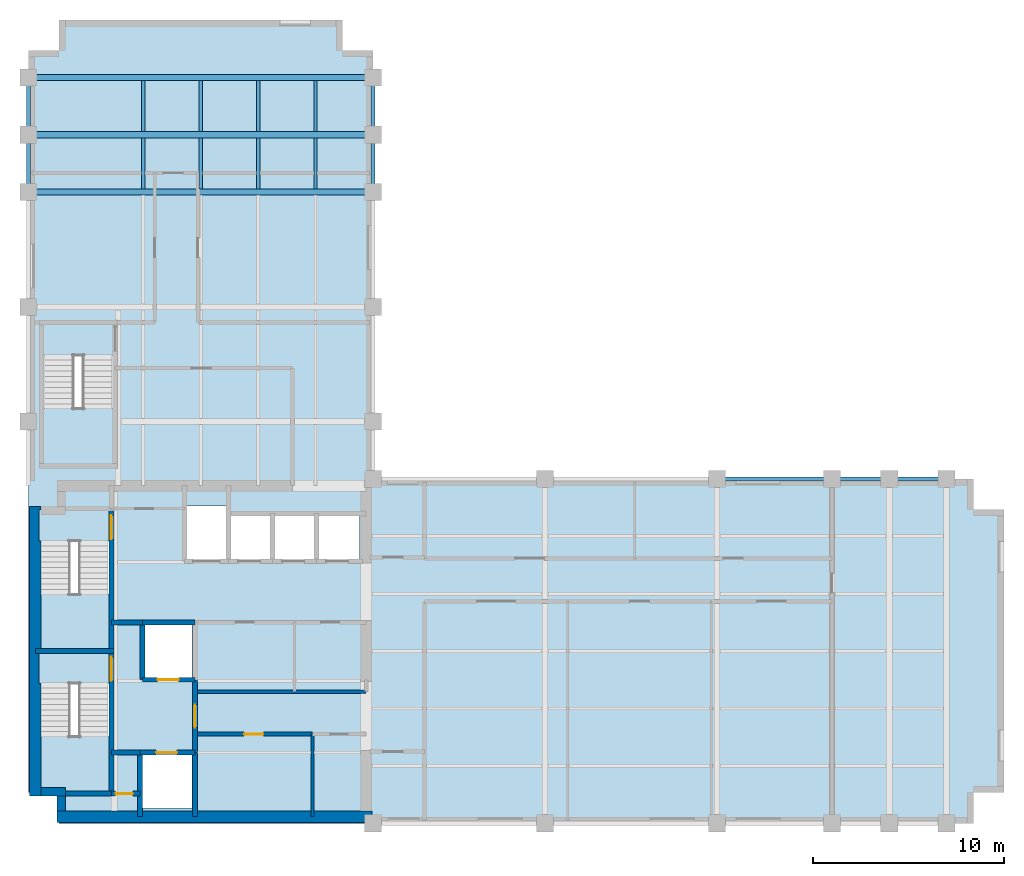
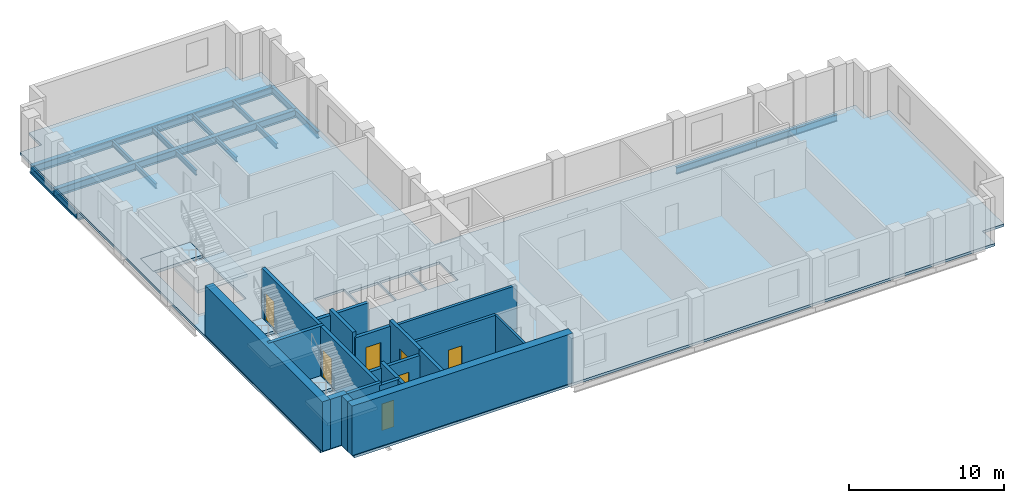
# One storey, part 2 of 6: 21 walls, 18 beams, 7 doors, 7 slabs, 7 openings, 3 elements without a shape of their own.
"""IFC4 building model written with IfcOpenShell, lengths in metres."""

from ifc_helpers import new_model, si_unit, direction, frame, frame_2d, origin, origin_2d, place, context, subcontext, project, spatial, polyline, rectangle, i_section, outline, extrude, material, layer, layer_set, material_profile, profile_set, type_object, element, fill, aggregate, save


model = new_model("IFC4")

# Units and contexts
model_context = context("Model", 3, precision=1e-05, world=origin(), true_north=direction((0.0, 1.0)))
body_context = subcontext(model_context, "Body", "Model", "MODEL_VIEW")
ifc_project = project(units=[si_unit("LENGTHUNIT", "METRE"), si_unit("AREAUNIT", "SQUARE_METRE"), si_unit("VOLUMEUNIT", "CUBIC_METRE"), si_unit("PLANEANGLEUNIT", "RADIAN"), si_unit("MASSUNIT", "GRAM", prefix="KILO")], contexts=[model_context])

# Site, building, storey
site_placement = place(None, origin())
site = spatial("IfcSite", under=ifc_project, at=site_placement, CompositionType="ELEMENT")
building_placement = place(site_placement, origin())
building = spatial("IfcBuilding", under=site, at=building_placement, Name="Mawjdan Bourse Tower", CompositionType="ELEMENT")
storey_placement = place(building_placement, frame((0.0, 0.0, 180.0)))
storey = spatial("IfcBuildingStorey", under=building, at=storey_placement, Name="L43", CompositionType="ELEMENT", Elevation=180.0)

# Beams
ifc_material_1 = material(Name="Structural Steel S355", Category="steel")
ifc_material_profile_1 = material_profile(ifc_material_1, i_section(OverallWidth=0.324951171875, OverallDepth=0.616943359375, WebThickness=0.013916015625, FlangeThickness=0.021484375, FilletRadius=0.017333984375, at=origin_2d()), Name="W24X117")
ifc_profile_set_1 = profile_set([ifc_material_profile_1], Name="Structural Steel S355")
beam_type_1 = type_object("IfcBeamType", Name="GRD-W24X117", PredefinedType="BEAM", material=ifc_profile_set_1)
for number, where, z_axis, x_axis, name in (
    (1, (6.0, 36.0, -0.508544921875), (1.0, 0.0, 0.0), (0.0, 1.0, 0.0), "L43 North Wing Clear-Span Girder 049"),
    (2, (6.0, 39.0, -0.508544921875), (1.0, 0.0, 0.0), (0.0, 1.0, 0.0), "L43 North Wing Clear-Span Girder 050"),
    (3, (6.0, 42.0, -0.508544921875), (1.0, 0.0, 0.0), (0.0, 1.0, 0.0), "L43 North Wing Clear-Span Girder 051"),
):
    element("IfcBeam", number, at=place(storey_placement, frame(where, z_axis=z_axis, x_axis=x_axis)), inside=storey, type_object=beam_type_1, Name=name, PredefinedType="BEAM", context=body_context, shape_type="SweptSolid", body=[
        extrude(i_section(OverallWidth=0.324951171875, OverallDepth=0.616943359375, WebThickness=0.013916015625, FlangeThickness=0.021484375, FilletRadius=0.017333984375, at=origin_2d()), origin(), (0.0, 0.0, 1.0), 18.0),
    ])
ifc_material_profile_2 = material_profile(ifc_material_1, i_section(OverallWidth=0.177978515625, OverallDepth=0.406982421875, WebThickness=0.0078125, FlangeThickness=0.0126953125, FilletRadius=0.01025390625, at=origin_2d()), Name="W16X40")
ifc_profile_set_2 = profile_set([ifc_material_profile_2], Name="Structural Steel S355")
beam_type_2 = type_object("IfcBeamType", Name="JST-W16X40", PredefinedType="JOIST", material=ifc_profile_set_2)
for number, where, z_axis, x_axis, name in (
    (4, (12.0, 36.160400390625, -0.403564453125), (0.0, 1.0, 0.0), (-1.0, 0.0, 0.0), "L43 North Wing Composite Joist 065"),
    (5, (12.0, 39.160400390625, -0.403564453125), (0.0, 1.0, 0.0), (-1.0, 0.0, 0.0), "L43 North Wing Composite Joist 066"),
    (6, (15.0, 36.160400390625, -0.403564453125), (0.0, 1.0, 0.0), (-1.0, 0.0, 0.0), "L43 North Wing Composite Joist 070"),
    (7, (15.0, 39.160400390625, -0.403564453125), (0.0, 1.0, 0.0), (-1.0, 0.0, 0.0), "L43 North Wing Composite Joist 071"),
    (8, (18.0, 36.160400390625, -0.403564453125), (0.0, 1.0, 0.0), (-1.0, 0.0, 0.0), "L43 North Wing Composite Joist 075"),
    (9, (18.0, 39.160400390625, -0.403564453125), (0.0, 1.0, 0.0), (-1.0, 0.0, 0.0), "L43 North Wing Composite Joist 076"),
    (10, (21.0, 36.160400390625, -0.403564453125), (0.0, 1.0, 0.0), (-1.0, 0.0, 0.0), "L43 North Wing Composite Joist 080"),
    (11, (21.0, 39.160400390625, -0.403564453125), (0.0, 1.0, 0.0), (-1.0, 0.0, 0.0), "L43 North Wing Composite Joist 081"),
):
    element("IfcBeam", number, at=place(storey_placement, frame(where, z_axis=z_axis, x_axis=x_axis)), inside=storey, type_object=beam_type_2, Name=name, PredefinedType="JOIST", context=body_context, shape_type="SweptSolid", body=[
        extrude(i_section(OverallWidth=0.177978515625, OverallDepth=0.406982421875, WebThickness=0.0078125, FlangeThickness=0.0126953125, FilletRadius=0.01025390625, at=origin_2d()), origin(), (0.0, 0.0, 1.0), 2.67919921875),
    ])
ifc_material_profile_3 = material_profile(ifc_material_1, i_section(OverallWidth=0.2119140625, OverallDepth=0.5439453125, WebThickness=0.01318359375, FlangeThickness=0.021240234375, FilletRadius=0.01708984375, at=origin_2d()), Name="W21X83")
ifc_profile_set_3 = profile_set([ifc_material_profile_3], Name="Structural Steel S355")
beam_type_3 = type_object("IfcBeamType", Name="SPN-W21X83", PredefinedType="SPANDREL", material=ifc_profile_set_3)
beam_placement = place(storey_placement, frame((42.0, 21.0, -0.471923828125), z_axis=(1.0, 0.0, 0.0), x_axis=(0.0, 1.0, 0.0)))
element("IfcBeam", 12, at=beam_placement, inside=storey, type_object=beam_type_3, Name="L43 Perimeter Masonry-Shelf Spandrel 014", PredefinedType="SPANDREL", context=body_context, shape_type="SweptSolid", body=[
    extrude(i_section(OverallWidth=0.2119140625, OverallDepth=0.5439453125, WebThickness=0.01318359375, FlangeThickness=0.021240234375, FilletRadius=0.01708984375, at=origin_2d()), origin(), (0.0, 0.0, 1.0), 6.0),
])
for number, where, z_axis, x_axis, name in (
    (13, (48.0, 21.0, -0.471923828125), (1.0, 0.0, 0.0), (0.0, 1.0, 0.0), "L43 Perimeter Masonry-Shelf Spandrel 015"),
    (14, (51.0, 21.0, -0.471923828125), (1.0, 0.0, 0.0), (0.0, 1.0, 0.0), "L43 Perimeter Masonry-Shelf Spandrel 016"),
    (15, (6.0, 36.0, -0.471923828125), (0.0, 1.0, 0.0), (-1.0, 0.0, 0.0), "L43 North Wing Spandrel 055"),
    (16, (6.0, 39.0, -0.471923828125), (0.0, 1.0, 0.0), (-1.0, 0.0, 0.0), "L43 North Wing Spandrel 056"),
    (17, (24.0, 36.0, -0.471923828125), (0.0, 1.0, 0.0), (-1.0, 0.0, 0.0), "L43 North Wing Spandrel 060"),
    (18, (24.0, 39.0, -0.471923828125), (0.0, 1.0, 0.0), (-1.0, 0.0, 0.0), "L43 North Wing Spandrel 061"),
):
    element("IfcBeam", number, at=place(storey_placement, frame(where, z_axis=z_axis, x_axis=x_axis)), inside=storey, type_object=beam_type_3, Name=name, PredefinedType="SPANDREL", context=body_context, shape_type="SweptSolid", body=[
        extrude(i_section(OverallWidth=0.2119140625, OverallDepth=0.5439453125, WebThickness=0.01318359375, FlangeThickness=0.021240234375, FilletRadius=0.01708984375, at=origin_2d()), origin(), (0.0, 0.0, 1.0), 3.0),
    ])

# Stair, slabs
ifc_material_2 = material(Name="Concrete C50/60", Category="concrete")
stair_type = type_object("IfcStairType", Name="STR-CORE-1500", PredefinedType="HALF_TURN_STAIR", material=ifc_material_2)
stair_1_placement = place(storey_placement, origin())
stair_1 = element("IfcStair", 19, at=stair_1_placement, inside=storey, type_object=stair_type, Name="L43 Exit Stair 1 (Core South-West)", PredefinedType="HALF_TURN_STAIR")
ifc_layer_1 = layer(ifc_material_2, 0.22998046875)
ifc_layer_set_1 = layer_set([ifc_layer_1], Name="Concrete C50/60")
slab_type_1 = type_object("IfcSlabType", Name="SL-LND-230", PredefinedType="LANDING", material=ifc_layer_set_1)
slab_1_placement = place(storey_placement, frame((0.0, 0.0, -0.22998046875)))
slab_1 = element("IfcSlab", 20, at=slab_1_placement, type_object=slab_type_1, Name="ST1-L43 landing 1", PredefinedType="LANDING", context=body_context, shape_type="SweptSolid", body=[
    extrude(outline(polyline([(6.5400390625, 10.31005859375), (10.260009765625, 10.31005859375), (10.260009765625, 11.969970703125), (6.5400390625, 11.969970703125), (6.5400390625, 10.31005859375)])), origin(), (0.0, 0.0, 1.0), 0.22998046875),
])
slab_2_placement = place(storey_placement, frame((0.0, 0.0, 1.719970703125)))
slab_2 = element("IfcSlab", 21, at=slab_2_placement, type_object=slab_type_1, Name="ST1-L43 landing 2", PredefinedType="LANDING", context=body_context, shape_type="SweptSolid", body=[
    extrude(outline(polyline([(6.5400390625, 4.590087890625), (10.260009765625, 4.590087890625), (10.260009765625, 7.5400390625), (6.5400390625, 7.5400390625), (6.5400390625, 4.590087890625)])), origin(), (0.0, 0.0, 1.0), 0.22998046875),
])
aggregate(stair_1, [slab_1, slab_2])

stair_2_placement = place(storey_placement, origin())
stair_2 = element("IfcStair", 22, at=stair_2_placement, inside=storey, type_object=stair_type, Name="L43 Exit Stair 2 (Core North-West)", PredefinedType="HALF_TURN_STAIR")
slab_3_placement = place(storey_placement, frame((0.0, 0.0, -0.22998046875)))
slab_3 = element("IfcSlab", 23, at=slab_3_placement, type_object=slab_type_1, Name="ST2-L43 landing 1", PredefinedType="LANDING", context=body_context, shape_type="SweptSolid", body=[
    extrude(outline(polyline([(6.5400390625, 17.75), (10.260009765625, 17.75), (10.260009765625, 19.409912109375), (6.5400390625, 19.409912109375), (6.5400390625, 17.75)])), origin(), (0.0, 0.0, 1.0), 0.22998046875),
])
slab_4_placement = place(storey_placement, frame((0.0, 0.0, 1.719970703125)))
slab_4 = element("IfcSlab", 24, at=slab_4_placement, type_object=slab_type_1, Name="ST2-L43 landing 2", PredefinedType="LANDING", context=body_context, shape_type="SweptSolid", body=[
    extrude(outline(polyline([(6.5400390625, 12.030029296875), (10.260009765625, 12.030029296875), (10.260009765625, 14.97998046875), (6.5400390625, 14.97998046875), (6.5400390625, 12.030029296875)])), origin(), (0.0, 0.0, 1.0), 0.22998046875),
])
aggregate(stair_2, [slab_3, slab_4])

stair_3_placement = place(storey_placement, origin())
stair_3 = element("IfcStair", 25, at=stair_3_placement, inside=storey, type_object=stair_type, Name="L43 Exit Stair 3 (North Wing)", PredefinedType="HALF_TURN_STAIR")
slab_5_placement = place(storey_placement, frame((0.0, 0.0, -0.22998046875)))
slab_5 = element("IfcSlab", 26, at=slab_5_placement, type_object=slab_type_1, Name="ST3-L43 landing 1", PredefinedType="LANDING", context=body_context, shape_type="SweptSolid", body=[
    extrude(outline(polyline([(6.739990234375, 27.4599609375), (10.4599609375, 27.4599609375), (10.4599609375, 29.1201171875), (6.739990234375, 29.1201171875), (6.739990234375, 27.4599609375)])), origin(), (0.0, 0.0, 1.0), 0.22998046875),
])
slab_6_placement = place(storey_placement, frame((0.0, 0.0, 1.719970703125)))
slab_6 = element("IfcSlab", 27, at=slab_6_placement, type_object=slab_type_1, Name="ST3-L43 landing 2", PredefinedType="LANDING", context=body_context, shape_type="SweptSolid", body=[
    extrude(outline(polyline([(6.739990234375, 21.739990234375), (10.4599609375, 21.739990234375), (10.4599609375, 24.68994140625), (6.739990234375, 24.68994140625), (6.739990234375, 21.739990234375)])), origin(), (0.0, 0.0, 1.0), 0.22998046875),
])
aggregate(stair_3, [slab_5, slab_6])

# Slab
ifc_layer_2 = layer(ifc_material_2, 0.199951171875)
ifc_layer_set_2 = layer_set([ifc_layer_2], Name="Concrete C50/60")
slab_type_2 = type_object("IfcSlabType", Name="SL-OFC-200", PredefinedType="FLOOR", material=ifc_layer_set_2)
slab_7_placement = place(storey_placement, frame((0.0, 0.0, -0.199951171875)))
element("IfcSlab", 28, at=slab_7_placement, inside=storey, type_object=slab_type_2, Name="L43 Structural Floor Slab 1", PredefinedType="FLOOR", context=body_context, shape_type="SweptSolid", body=[
    extrude(outline(polyline([(7.60009765625, 3.0), (55.39990234375, 3.0), (55.39990234375, 4.60009765625), (57.0, 4.60009765625), (57.0, 19.39990234375), (55.39990234375, 19.39990234375), (55.39990234375, 21.0), (24.0, 21.0), (24.0, 43.39990234375), (22.39990234375, 43.39990234375), (22.39990234375, 45.0), (7.60009765625, 45.0), (7.60009765625, 43.39990234375), (6.0, 43.39990234375), (6.0, 4.60009765625), (7.60009765625, 4.60009765625), (7.60009765625, 3.0)]), holes=[polyline([(6.5400390625, 11.969970703125), (10.260009765625, 11.969970703125), (10.260009765625, 10.31005859375), (10.199951171875, 10.31005859375), (10.199951171875, 4.64990234375), (6.60009765625, 4.64990234375), (6.60009765625, 10.31005859375), (6.5400390625, 10.31005859375), (6.5400390625, 11.969970703125)]), polyline([(6.60009765625, 12.090087890625), (6.60009765625, 17.75), (6.5400390625, 17.75), (6.5400390625, 19.409912109375), (10.260009765625, 19.409912109375), (10.260009765625, 17.75), (10.199951171875, 17.75), (10.199951171875, 12.090087890625), (6.60009765625, 12.090087890625)]), polyline([(10.4599609375, 29.1201171875), (10.4599609375, 27.4599609375), (10.39990234375, 27.4599609375), (10.39990234375, 21.800048828125), (6.800048828125, 21.800048828125), (6.800048828125, 27.4599609375), (6.739990234375, 27.4599609375), (6.739990234375, 29.1201171875), (10.4599609375, 29.1201171875)]), polyline([(14.550048828125, 3.800048828125), (11.949951171875, 3.800048828125), (11.949951171875, 6.60009765625), (14.550048828125, 6.60009765625), (14.550048828125, 3.800048828125)]), polyline([(12.050048828125, 10.60009765625), (12.050048828125, 13.39990234375), (14.550048828125, 13.39990234375), (14.550048828125, 10.60009765625), (12.050048828125, 10.60009765625)]), polyline([(16.5, 16.800048828125), (16.5, 19.14990234375), (18.699951171875, 19.14990234375), (18.699951171875, 16.800048828125), (16.5, 16.800048828125)]), polyline([(21.0, 16.800048828125), (18.800048828125, 16.800048828125), (18.800048828125, 19.14990234375), (21.0, 19.14990234375), (21.0, 16.800048828125)]), polyline([(21.10009765625, 16.800048828125), (21.10009765625, 19.14990234375), (23.300048828125, 19.14990234375), (23.300048828125, 16.800048828125), (21.10009765625, 16.800048828125)]), polyline([(14.199951171875, 16.800048828125), (14.199951171875, 19.60009765625), (16.39990234375, 19.60009765625), (16.39990234375, 16.800048828125), (14.199951171875, 16.800048828125)])]), origin(), (0.0, 0.0, 1.0), 0.199951171875),
])

# Wall, opening, door
ifc_material_3 = material(Name="Gypsum Fireboard Assembly")
ifc_layer_3 = layer(ifc_material_3, 0.199951171875)
ifc_layer_set_3 = layer_set([ifc_layer_3], Name="Gypsum Fireboard Assembly")
wall_type_1 = type_object("IfcWallType", Name="WL-CMP-200", PredefinedType="PARTITIONING", material=ifc_layer_set_3)
wall_1_placement = place(storey_placement, frame((14.699951171875, 7.659912109375, 0.0), z_axis=(0.0, 0.0, 1.0), x_axis=(1.0, 0.0, 0.0)))
wall_1 = element("IfcWall", 29, at=wall_1_placement, inside=storey, type_object=wall_type_1, Name="L43 Staff Wellness Lounge North Wall", PredefinedType="PARTITIONING", context=body_context, shape_type="SweptSolid", body=[
    extrude(rectangle(XDim=6.150146484375, YDim=0.199951171875, at=frame_2d((3.0751953125, 0.0))), origin(), (0.0, 0.0, 1.0), 3.68994140625),
])
opening_1_placement = place(wall_1_placement, frame((2.574951171875, 0.0, 0.0)))
opening_1 = element("IfcOpeningElement", 30, at=opening_1_placement, cuts=wall_1, Name="Opening D-L43-13", PredefinedType="OPENING", context=body_context, shape_type="SweptSolid", body=[
    extrude(rectangle(XDim=1.0, YDim=2.14990234375, at=frame_2d((0.5, 1.074951171875))), frame((0.0, 0.10986328125, 0.0), z_axis=(0.0, -1.0, 0.0), x_axis=(1.0, 0.0, 0.0)), (0.0, 0.0, 1.0), 0.219970703125),
])
ifc_material_4 = material(Name="Hardwood Acoustic Leaf", Category="wood")
door_type_1 = type_object("IfcDoorType", Name="DR-OFC-1000", OperationType="NOTDEFINED", PredefinedType="DOOR", material=ifc_material_4)
door_1_placement = place(opening_1_placement, origin())
door_1 = element("IfcDoor", 31, at=door_1_placement, inside=storey, type_object=door_type_1, Name="L43 Staff Wellness Lounge Door D-L43-13", OperationType="SINGLE_SWING_RIGHT", OverallHeight=2.14990234375, OverallWidth=1.0, PredefinedType="DOOR", context=body_context, shape_type="SweptSolid", body=[
    extrude(rectangle(XDim=1.0, YDim=2.14990234375, at=frame_2d((0.5, 1.074951171875))), frame((0.0, 0.02490234375, 0.0), z_axis=(0.0, -1.0, 0.0), x_axis=(1.0, 0.0, 0.0)), (0.0, 0.0, 1.0), 0.050048828125),
])
fill(opening_1, door_1)

# Walls
wall_2_placement = place(storey_placement, frame((14.824951171875, 9.8798828125, 0.0), z_axis=(0.0, 0.0, 1.0), x_axis=(1.0, 0.0, 0.0)))
element("IfcWall", 32, at=wall_2_placement, inside=storey, type_object=wall_type_1, Name="L43 Core Restroom Suite South Wall", PredefinedType="PARTITIONING", context=body_context, shape_type="SweptSolid", body=[
    extrude(rectangle(XDim=8.824951171875, YDim=0.199951171875, at=frame_2d((4.41259765625, 0.0))), origin(), (0.0, 0.0, 1.0), 3.68994140625),
])
ifc_material_5 = material(Name="Concrete C60/75", Category="concrete")
ifc_layer_4 = layer(ifc_material_5, 0.449951171875)
ifc_layer_set_4 = layer_set([ifc_layer_4], Name="Concrete C60/75")
wall_type_2 = type_object("IfcWallType", Name="WL-CORE-450", PredefinedType="SHEAR", material=ifc_layer_set_4)
wall_3_placement = place(storey_placement, frame((6.64990234375, 4.64990234375, 0.0), z_axis=(0.0, 0.0, 1.0), x_axis=(1.0, 0.0, 0.0)))
element("IfcWall", 33, at=wall_3_placement, inside=storey, type_object=wall_type_2, Name="L43 Rear Core Shear Wall SW-X", PredefinedType="SHEAR", context=body_context, shape_type="SweptSolid", body=[
    extrude(rectangle(XDim=1.275146484375, YDim=0.449951171875, at=frame_2d((0.6376953125, 0.0))), origin(), (0.0, 0.0, 1.0), 3.89990234375),
])
wall_4_placement = place(storey_placement, frame((7.699951171875, 3.64990234375, 0.0), z_axis=(0.0, 0.0, 1.0), x_axis=(0.0, 1.0, 0.0)))
element("IfcWall", 34, at=wall_4_placement, inside=storey, type_object=wall_type_2, Name="L43 Rear Core Shear Wall SW-Y", PredefinedType="SHEAR", context=body_context, shape_type="SweptSolid", body=[
    extrude(rectangle(XDim=0.775146484375, YDim=0.449951171875, at=frame_2d((0.3876953125, 0.0))), origin(), (0.0, 0.0, 1.0), 3.89990234375),
])
ifc_material_6 = material(Name="Concrete C70/85", Category="concrete")
ifc_layer_5 = layer(ifc_material_6, 0.60009765625)
ifc_layer_set_5 = layer_set([ifc_layer_5], Name="Concrete C70/85")
wall_type_3 = type_object("IfcWallType", Name="WL-CORE-600", PredefinedType="SHEAR", material=ifc_layer_set_5)
wall_5_placement = place(storey_placement, frame((7.47509765625, 3.35009765625, 0.0), z_axis=(0.0, 0.0, 1.0), x_axis=(1.0, 0.0, 0.0)))
element("IfcWall", 35, at=wall_5_placement, inside=storey, type_object=wall_type_3, Name="L43 Rear Core Shear Wall S", PredefinedType="SHEAR", context=body_context, shape_type="SweptSolid", body=[
    extrude(rectangle(XDim=16.474853515625, YDim=0.60009765625, at=frame_2d((8.2373046875, 0.0))), origin(), (0.0, 0.0, 1.0), 3.89990234375),
])
wall_6_placement = place(storey_placement, frame((6.35009765625, 4.425048828125, 0.0), z_axis=(0.0, 0.0, 1.0), x_axis=(0.0, 1.0, 0.0)))
element("IfcWall", 36, at=wall_6_placement, inside=storey, type_object=wall_type_3, Name="L43 Rear Core Shear Wall W", PredefinedType="SHEAR", context=body_context, shape_type="SweptSolid", body=[
    extrude(rectangle(XDim=15.14990234375, YDim=0.60009765625, at=frame_2d((7.574951171875, 0.0))), origin(), (0.0, 0.0, 1.0), 3.89990234375),
])
ifc_material_7 = material(Name="Gypsum Acoustic Partition")
ifc_layer_6 = layer(ifc_material_7, 0.14990234375)
ifc_layer_set_6 = layer_set([ifc_layer_6], Name="Gypsum Acoustic Partition")
wall_type_4 = type_object("IfcWallType", Name="WL-PRT-150", PredefinedType="PARTITIONING", material=ifc_layer_set_6)
wall_7_placement = place(storey_placement, frame((20.85009765625, 3.35009765625, 0.0), z_axis=(0.0, 0.0, 1.0), x_axis=(0.0, 1.0, 0.0)))
element("IfcWall", 37, at=wall_7_placement, inside=storey, type_object=wall_type_4, Name="L43 Telemetry Control Room Core Split Wall", PredefinedType="PARTITIONING", context=body_context, shape_type="SweptSolid", body=[
    extrude(rectangle(XDim=4.309814453125, YDim=0.14990234375, at=frame_2d((2.15478515625, 0.0))), origin(), (0.0, 0.0, 1.0), 3.68994140625),
])

# Wall, opening, door
ifc_layer_7 = layer(ifc_material_2, 0.25)
ifc_layer_set_7 = layer_set([ifc_layer_7], Name="Concrete C50/60")
wall_type_5 = type_object("IfcWallType", Name="WL-SHFT-250", PredefinedType="PARTITIONING", material=ifc_layer_set_7)
wall_8_placement = place(storey_placement, frame((10.330078125, 4.550048828125, 0.0), z_axis=(0.0, 0.0, 1.0), x_axis=(1.0, 0.0, 0.0)))
wall_8 = element("IfcWall", 38, at=wall_8_placement, inside=storey, type_object=wall_type_5, Name="L43 SW Riser North Wall", PredefinedType="PARTITIONING", context=body_context, shape_type="SweptSolid", body=[
    extrude(rectangle(XDim=1.489990234375, YDim=0.25, at=frame_2d((0.7451171875, 0.0))), origin(), (0.0, 0.0, 1.0), 3.68994140625),
])
opening_2_placement = place(wall_8_placement, frame((0.219970703125, 0.0, 0.0)))
opening_2 = element("IfcOpeningElement", 39, at=opening_2_placement, cuts=wall_8, Name="Opening RD-L43-03", PredefinedType="OPENING", context=body_context, shape_type="SweptSolid", body=[
    extrude(rectangle(XDim=0.89990234375, YDim=2.10009765625, at=frame_2d((0.449951171875, 1.050048828125))), frame((0.0, 0.135009765625, 0.0), z_axis=(0.0, -1.0, 0.0), x_axis=(1.0, 0.0, 0.0)), (0.0, 0.0, 1.0), 0.27001953125),
])
ifc_material_8 = material(Name="Fire-Rated Steel Access Leaf", Category="steel")
door_type_2 = type_object("IfcDoorType", Name="FD-RSR-0900", OperationType="NOTDEFINED", PredefinedType="TRAPDOOR", material=ifc_material_8)
door_2_placement = place(opening_2_placement, origin())
door_2 = element("IfcDoor", 40, at=door_2_placement, inside=storey, type_object=door_type_2, Name="L43 Electrical Riser Access Door RD-L43-03", OperationType="SINGLE_SWING_RIGHT", OverallHeight=2.10009765625, OverallWidth=0.89990234375, PredefinedType="TRAPDOOR", context=body_context, shape_type="SweptSolid", body=[
    extrude(rectangle(XDim=0.89990234375, YDim=2.10009765625, at=frame_2d((0.449951171875, 1.050048828125))), frame((0.0, 0.02490234375, 0.0), z_axis=(0.0, -1.0, 0.0), x_axis=(1.0, 0.0, 0.0)), (0.0, 0.0, 1.0), 0.050048828125),
])
fill(opening_2, door_2)

# Wall
wall_9_placement = place(storey_placement, frame((11.820068359375, 3.35009765625, 0.0), z_axis=(0.0, 0.0, 1.0), x_axis=(0.0, 1.0, 0.0)))
element("IfcWall", 41, at=wall_9_placement, inside=storey, type_object=wall_type_5, Name="L43 SW Riser & FFL01 West Wall", PredefinedType="PARTITIONING", context=body_context, shape_type="SweptSolid", body=[
    extrude(rectangle(XDim=3.349853515625, YDim=0.25, at=frame_2d((1.6748046875, 0.0))), origin(), (0.0, 0.0, 1.0), 3.68994140625),
])

# Wall, opening, door
wall_10_placement = place(storey_placement, frame((11.820068359375, 6.699951171875, 0.0), z_axis=(0.0, 0.0, 1.0), x_axis=(1.0, 0.0, 0.0)))
wall_10 = element("IfcWall", 42, at=wall_10_placement, inside=storey, type_object=wall_type_5, Name="L43 FFL-01 Front Shaft Wall", PredefinedType="PARTITIONING", context=body_context, shape_type="SweptSolid", body=[
    extrude(rectangle(XDim=2.8798828125, YDim=0.25, at=frame_2d((1.43994140625, 0.0))), origin(), (0.0, 0.0, 1.0), 3.282958984375),
])
opening_3_placement = place(wall_10_placement, frame((0.85009765625, 0.0, 0.0)))
opening_3 = element("IfcOpeningElement", 43, at=opening_3_placement, cuts=wall_10, Name="Opening LD-L43-05", PredefinedType="OPENING", context=body_context, shape_type="SweptSolid", body=[
    extrude(rectangle(XDim=1.10009765625, YDim=2.25, at=frame_2d((0.550048828125, 1.125))), frame((0.0, 0.135009765625, 0.0), z_axis=(0.0, -1.0, 0.0), x_axis=(1.0, 0.0, 0.0)), (0.0, 0.0, 1.0), 0.27001953125),
])
ifc_material_9 = material(Name="Brushed Stainless Steel", Category="steel")
door_type_3 = type_object("IfcDoorType", Name="LD-FFL-1100", OperationType="DOUBLE_DOOR_SLIDING", PredefinedType="DOOR", material=ifc_material_9)
door_3_placement = place(opening_3_placement, origin())
door_3 = element("IfcDoor", 44, at=door_3_placement, inside=storey, type_object=door_type_3, Name="L43 Firefighting Lift FFL-01 Landing Door LD-L43-05", OperationType="DOUBLE_DOOR_SLIDING", OverallHeight=2.25, OverallWidth=1.10009765625, PredefinedType="DOOR", context=body_context, shape_type="SweptSolid", body=[
    extrude(rectangle(XDim=1.10009765625, YDim=2.25, at=frame_2d((0.550048828125, 1.125))), frame((0.0, 0.02490234375, 0.0), z_axis=(0.0, -1.0, 0.0), x_axis=(1.0, 0.0, 0.0)), (0.0, 0.0, 1.0), 0.050048828125),
])
fill(opening_3, door_3)

# Wall
wall_11_placement = place(storey_placement, frame((14.699951171875, 3.35009765625, 0.0), z_axis=(0.0, 0.0, 1.0), x_axis=(0.0, 1.0, 0.0)))
element("IfcWall", 45, at=wall_11_placement, inside=storey, type_object=wall_type_5, Name="L43 FFL-01 East Shaft Wall", PredefinedType="PARTITIONING", context=body_context, shape_type="SweptSolid", body=[
    extrude(rectangle(XDim=3.349853515625, YDim=0.25, at=frame_2d((1.6748046875, 0.0))), origin(), (0.0, 0.0, 1.0), 3.68994140625),
])

# Wall, opening, door
wall_12_placement = place(storey_placement, frame((11.949951171875, 10.5, 0.0), z_axis=(0.0, 0.0, 1.0), x_axis=(1.0, 0.0, 0.0)))
wall_12 = element("IfcWall", 46, at=wall_12_placement, inside=storey, type_object=wall_type_5, Name="L43 FFL-02 Front Shaft Wall", PredefinedType="PARTITIONING", context=body_context, shape_type="SweptSolid", body=[
    extrude(rectangle(XDim=2.75, YDim=0.25, at=frame_2d((1.375, 0.0))), origin(), (0.0, 0.0, 1.0), 3.282958984375),
])
opening_4_placement = place(wall_12_placement, frame((0.800048828125, 0.0, 0.0)))
opening_4 = element("IfcOpeningElement", 47, at=opening_4_placement, cuts=wall_12, Name="Opening LD-L43-06", PredefinedType="OPENING", context=body_context, shape_type="SweptSolid", body=[
    extrude(rectangle(XDim=1.10009765625, YDim=2.25, at=frame_2d((0.550048828125, 1.125))), frame((0.0, 0.135009765625, 0.0), z_axis=(0.0, -1.0, 0.0), x_axis=(1.0, 0.0, 0.0)), (0.0, 0.0, 1.0), 0.27001953125),
])
door_4_placement = place(opening_4_placement, origin())
door_4 = element("IfcDoor", 48, at=door_4_placement, inside=storey, type_object=door_type_3, Name="L43 Firefighting Lift FFL-02 Landing Door LD-L43-06", OperationType="DOUBLE_DOOR_SLIDING", OverallHeight=2.25, OverallWidth=1.10009765625, PredefinedType="DOOR", context=body_context, shape_type="SweptSolid", body=[
    extrude(rectangle(XDim=1.10009765625, YDim=2.25, at=frame_2d((0.550048828125, 1.125))), frame((0.0, 0.02490234375, 0.0), z_axis=(0.0, -1.0, 0.0), x_axis=(1.0, 0.0, 0.0)), (0.0, 0.0, 1.0), 0.050048828125),
])
fill(opening_4, door_4)

# Walls
wall_13_placement = place(storey_placement, frame((11.949951171875, 10.5, 0.0), z_axis=(0.0, 0.0, 1.0), x_axis=(0.0, 1.0, 0.0)))
element("IfcWall", 49, at=wall_13_placement, inside=storey, type_object=wall_type_5, Name="L43 FFL-02 West Shaft Wall", PredefinedType="PARTITIONING", context=body_context, shape_type="SweptSolid", body=[
    extrude(rectangle(XDim=3.0, YDim=0.25, at=frame_2d((1.5, 0.0))), origin(), (0.0, 0.0, 1.0), 3.68994140625),
])
wall_14_placement = place(storey_placement, frame((11.949951171875, 13.5, 0.0), z_axis=(0.0, 0.0, 1.0), x_axis=(1.0, 0.0, 0.0)))
element("IfcWall", 50, at=wall_14_placement, inside=storey, type_object=wall_type_5, Name="L43 FFL-02 North Shaft Wall", PredefinedType="PARTITIONING", context=body_context, shape_type="SweptSolid", body=[
    extrude(rectangle(XDim=2.75, YDim=0.25, at=frame_2d((1.375, 0.0))), origin(), (0.0, 0.0, 1.0), 3.282958984375),
])

# Wall, opening, door
wall_15_placement = place(storey_placement, frame((14.699951171875, 6.699951171875, 0.0), z_axis=(0.0, 0.0, 1.0), x_axis=(0.0, 1.0, 0.0)))
wall_15 = element("IfcWall", 51, at=wall_15_placement, inside=storey, type_object=wall_type_5, Name="L43 Firefighting Lobby East Compartment Wall", PredefinedType="PARTITIONING", context=body_context, shape_type="SweptSolid", body=[
    extrude(rectangle(XDim=3.800048828125, YDim=0.25, at=frame_2d((1.89990234375, 0.0))), origin(), (0.0, 0.0, 1.0), 3.68994140625),
])
opening_5_placement = place(wall_15_placement, frame((1.300048828125, 0.0, 0.0)))
opening_5 = element("IfcOpeningElement", 52, at=opening_5_placement, cuts=wall_15, Name="Opening FD-L43-07", PredefinedType="OPENING", context=body_context, shape_type="SweptSolid", body=[
    extrude(rectangle(XDim=1.199951171875, YDim=2.199951171875, at=frame_2d((0.60009765625, 1.10009765625))), frame((0.0, 0.135009765625, 0.0), z_axis=(0.0, -1.0, 0.0), x_axis=(1.0, 0.0, 0.0)), (0.0, 0.0, 1.0), 0.27001953125),
])
ifc_material_10 = material(Name="Fire-Rated Steel Leaf", Category="steel")
door_type_4 = type_object("IfcDoorType", Name="FD-FFL-1200", OperationType="NOTDEFINED", PredefinedType="DOOR", material=ifc_material_10)
door_5_placement = place(opening_5_placement, origin())
door_5 = element("IfcDoor", 53, at=door_5_placement, inside=storey, type_object=door_type_4, Name="L43 Firefighting Lobby East Smoke Door FD-L43-07", OperationType="SINGLE_SWING_RIGHT", OverallHeight=2.199951171875, OverallWidth=1.199951171875, PredefinedType="DOOR", context=body_context, shape_type="SweptSolid", body=[
    extrude(rectangle(XDim=1.199951171875, YDim=2.199951171875, at=frame_2d((0.60009765625, 1.10009765625))), frame((0.0, 0.02490234375, 0.0), z_axis=(0.0, -1.0, 0.0), x_axis=(1.0, 0.0, 0.0)), (0.0, 0.0, 1.0), 0.050048828125),
])
fill(opening_5, door_5)

# Walls
wall_16_placement = place(storey_placement, frame((10.330078125, 13.5, 0.0), z_axis=(0.0, 0.0, 1.0), x_axis=(1.0, 0.0, 0.0)))
element("IfcWall", 54, at=wall_16_placement, inside=storey, type_object=wall_type_5, Name="L43 Firefighting Lobby North Compartment Wall", PredefinedType="PARTITIONING", context=body_context, shape_type="SweptSolid", body=[
    extrude(rectangle(XDim=1.619873046875, YDim=0.25, at=frame_2d((0.81005859375, 0.0))), origin(), (0.0, 0.0, 1.0), 3.282958984375),
])
wall_17_placement = place(storey_placement, frame((10.330078125, 6.699951171875, 0.0), z_axis=(0.0, 0.0, 1.0), x_axis=(1.0, 0.0, 0.0)))
element("IfcWall", 55, at=wall_17_placement, inside=storey, type_object=wall_type_5, Name="L43 Firefighting Lobby South Closure Wall", PredefinedType="PARTITIONING", context=body_context, shape_type="SweptSolid", body=[
    extrude(rectangle(XDim=1.489990234375, YDim=0.25, at=frame_2d((0.7451171875, 0.0))), origin(), (0.0, 0.0, 1.0), 3.282958984375),
])
ifc_layer_8 = layer(ifc_material_2, 0.25)
ifc_layer_set_8 = layer_set([ifc_layer_8], Name="Concrete C50/60")
wall_type_6 = type_object("IfcWallType", Name="WL-STRW-250", PredefinedType="SHEAR", material=ifc_layer_set_8)
wall_18_placement = place(storey_placement, frame((6.35009765625, 12.0, 0.0), z_axis=(0.0, 0.0, 1.0), x_axis=(1.0, 0.0, 0.0)))
element("IfcWall", 56, at=wall_18_placement, inside=storey, type_object=wall_type_6, Name="L43 Stairwell Dividing Shaft Wall", PredefinedType="SHEAR", context=body_context, shape_type="SweptSolid", body=[
    extrude(rectangle(XDim=4.10498046875, YDim=0.25, at=frame_2d((2.052490234375, 0.0))), origin(), (0.0, 0.0, 1.0), 3.89990234375),
])
wall_19_placement = place(storey_placement, frame((7.699951171875, 4.550048828125, 0.0), z_axis=(0.0, 0.0, 1.0), x_axis=(1.0, 0.0, 0.0)))
element("IfcWall", 57, at=wall_19_placement, inside=storey, type_object=wall_type_6, Name="L43 Stairwell ST1 South Shaft Wall", PredefinedType="SHEAR", context=body_context, shape_type="SweptSolid", body=[
    extrude(rectangle(XDim=2.755126953125, YDim=0.25, at=frame_2d((1.37744140625, 0.0))), origin(), (0.0, 0.0, 1.0), 3.89990234375),
])

# Wall, opening, door
wall_20_placement = place(storey_placement, frame((10.330078125, 4.550048828125, 0.0), z_axis=(0.0, 0.0, 1.0), x_axis=(0.0, 1.0, 0.0)))
wall_20 = element("IfcWall", 58, at=wall_20_placement, inside=storey, type_object=wall_type_6, Name="L43 Stairwell ST1 East Enclosure Wall", PredefinedType="SHEAR", context=body_context, shape_type="SweptSolid", body=[
    extrude(rectangle(XDim=7.449951171875, YDim=0.25, at=frame_2d((3.72509765625, 0.0))), origin(), (0.0, 0.0, 1.0), 3.89990234375),
])
opening_6_placement = place(wall_20_placement, frame((5.89990234375, 0.0, 0.0)))
opening_6 = element("IfcOpeningElement", 59, at=opening_6_placement, cuts=wall_20, Name="Opening SD-L43-01", PredefinedType="OPENING", context=body_context, shape_type="SweptSolid", body=[
    extrude(rectangle(XDim=1.25, YDim=2.199951171875, at=frame_2d((0.625, 1.10009765625))), frame((0.0, 0.135009765625, 0.0), z_axis=(0.0, -1.0, 0.0), x_axis=(1.0, 0.0, 0.0)), (0.0, 0.0, 1.0), 0.27001953125),
])
door_type_5 = type_object("IfcDoorType", Name="FD-ST-1250", OperationType="NOTDEFINED", PredefinedType="DOOR", material=ifc_material_10)
door_6_placement = place(opening_6_placement, origin())
door_6 = element("IfcDoor", 60, at=door_6_placement, inside=storey, type_object=door_type_5, Name="L43 Exit Stair ST1 Fire Door SD-L43-01", OperationType="SINGLE_SWING_RIGHT", OverallHeight=2.199951171875, OverallWidth=1.25, PredefinedType="DOOR", context=body_context, shape_type="SweptSolid", body=[
    extrude(rectangle(XDim=1.25, YDim=2.199951171875, at=frame_2d((0.625, 1.10009765625))), frame((0.0, 0.02490234375, 0.0), z_axis=(0.0, -1.0, 0.0), x_axis=(1.0, 0.0, 0.0)), (0.0, 0.0, 1.0), 0.050048828125),
])
fill(opening_6, door_6)

wall_21_placement = place(storey_placement, frame((10.330078125, 12.0, 0.0), z_axis=(0.0, 0.0, 1.0), x_axis=(0.0, 1.0, 0.0)))
wall_21 = element("IfcWall", 61, at=wall_21_placement, inside=storey, type_object=wall_type_6, Name="L43 Stairwell ST2 East Enclosure Wall", PredefinedType="SHEAR", context=body_context, shape_type="SweptSolid", body=[
    extrude(rectangle(XDim=7.449951171875, YDim=0.25, at=frame_2d((3.72509765625, 0.0))), origin(), (0.0, 0.0, 1.0), 3.89990234375),
])
opening_7_placement = place(wall_21_placement, frame((5.85009765625, 0.0, 0.0)))
opening_7 = element("IfcOpeningElement", 62, at=opening_7_placement, cuts=wall_21, Name="Opening SD-L43-02", PredefinedType="OPENING", context=body_context, shape_type="SweptSolid", body=[
    extrude(rectangle(XDim=1.25, YDim=2.199951171875, at=frame_2d((0.625, 1.10009765625))), frame((0.0, 0.135009765625, 0.0), z_axis=(0.0, -1.0, 0.0), x_axis=(1.0, 0.0, 0.0)), (0.0, 0.0, 1.0), 0.27001953125),
])
door_7_placement = place(opening_7_placement, origin())
door_7 = element("IfcDoor", 63, at=door_7_placement, inside=storey, type_object=door_type_5, Name="L43 Exit Stair ST2 Fire Door SD-L43-02", OperationType="SINGLE_SWING_LEFT", OverallHeight=2.199951171875, OverallWidth=1.25, PredefinedType="DOOR", context=body_context, shape_type="SweptSolid", body=[
    extrude(rectangle(XDim=1.25, YDim=2.199951171875, at=frame_2d((0.625, 1.10009765625))), frame((0.0, 0.02490234375, 0.0), z_axis=(0.0, -1.0, 0.0), x_axis=(1.0, 0.0, 0.0)), (0.0, 0.0, 1.0), 0.050048828125),
])
fill(opening_7, door_7)

save(model, "model.ifc")
